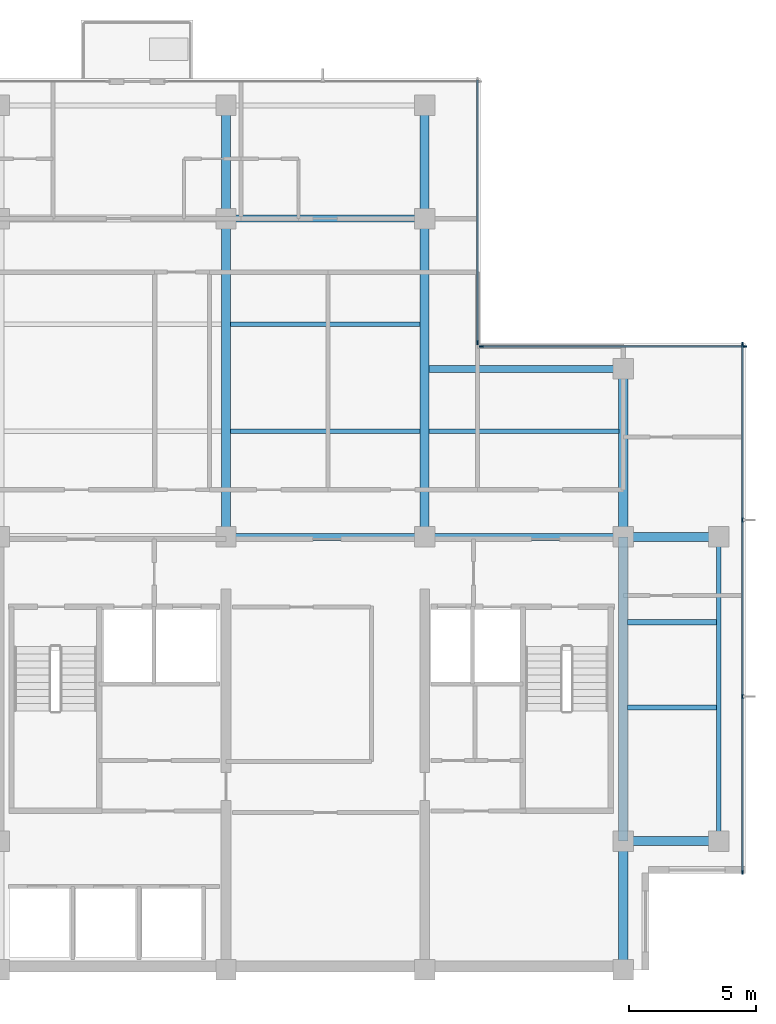
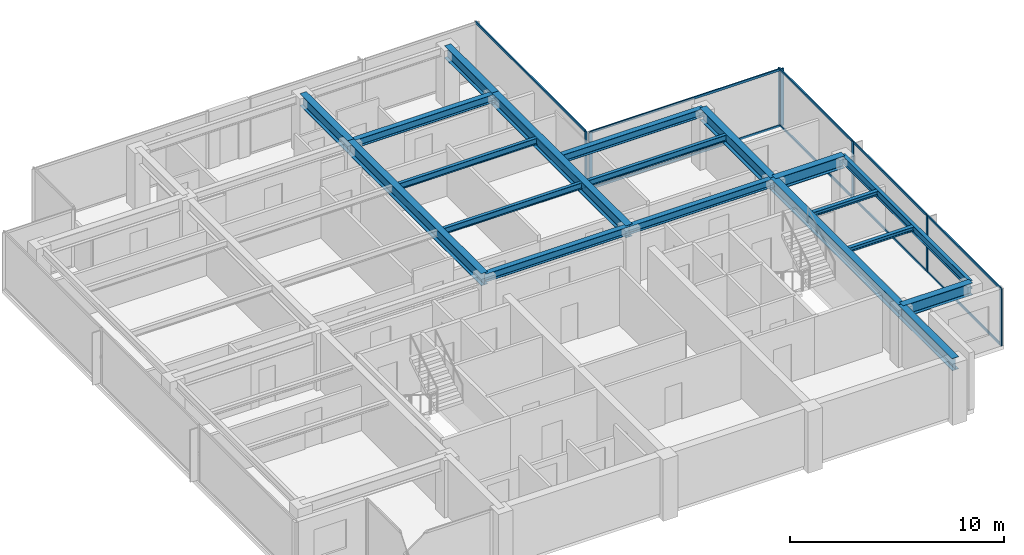
# One storey, part 3 of 11: 19 beams, 17 members, 3 elements without a shape of their own.
"""IFC4 building model written with IfcOpenShell, lengths in metres."""

from ifc_helpers import new_model, si_unit, direction, frame, origin, origin_2d, place, context, subcontext, project, spatial, rectangle, i_section, extrude, material, layer, layer_set, material_profile, profile_set, type_object, element, aggregate, save


model = new_model("IFC4")

# Units and contexts
model_context = context("Model", 3, precision=1e-05, world=origin(), true_north=direction((0.0, 1.0)))
body_context = subcontext(model_context, "Body", "Model", "MODEL_VIEW")
ifc_project = project(units=[si_unit("LENGTHUNIT", "METRE"), si_unit("AREAUNIT", "SQUARE_METRE"), si_unit("VOLUMEUNIT", "CUBIC_METRE"), si_unit("PLANEANGLEUNIT", "RADIAN"), si_unit("MASSUNIT", "GRAM", prefix="KILO")], contexts=[model_context])

# Site, building, storey
site_placement = place(None, origin())
site = spatial("IfcSite", under=ifc_project, at=site_placement, CompositionType="ELEMENT")
building_placement = place(site_placement, origin())
building = spatial("IfcBuilding", under=site, at=building_placement, Name="Qalmaran Belvedere Hotel", CompositionType="ELEMENT")
storey_placement = place(building_placement, frame((0.0, 0.0, 263.39990234375)))
storey = spatial("IfcBuildingStorey", under=building, at=storey_placement, Name="L68", CompositionType="ELEMENT", Elevation=263.39990234375)

# Beams
ifc_material_1 = material(Name="Steel S355JR", Category="steel")
ifc_material_profile_1 = material_profile(ifc_material_1, i_section(OverallWidth=0.201904296875, OverallDepth=0.2470703125, WebThickness=0.00732421875, FlangeThickness=0.010986328125, FilletRadius=0.011962890625, at=origin_2d()), Name="W250X49")
ifc_profile_set_1 = profile_set([ifc_material_profile_1], Name="Steel S355JR")
beam_type_1 = type_object("IfcBeamType", Name="BM-JST-W250X49", PredefinedType="JOIST", material=ifc_profile_set_1)
for number, where, z_axis, x_axis, name in (
    (1, (44.9755859375, 13.800048828125, 3.13671875), (1.0, 0.0, 0.0), (0.0, 1.0, 0.0), "L68 East Wing Joist 032"),
    (2, (44.9755859375, 17.14990234375, 3.13671875), (1.0, 0.0, 0.0), (0.0, 1.0, 0.0), "L68 East Wing Joist 034"),
):
    element("IfcBeam", number, at=place(storey_placement, frame(where, z_axis=z_axis, x_axis=x_axis)), inside=storey, type_object=beam_type_1, Name=name, PredefinedType="JOIST", context=body_context, shape_type="SweptSolid", body=[
        extrude(i_section(OverallWidth=0.201904296875, OverallDepth=0.2470703125, WebThickness=0.00732421875, FlangeThickness=0.010986328125, FilletRadius=0.011962890625, at=origin_2d()), origin(), (0.0, 0.0, 1.0), 3.48046875),
    ])
ifc_material_profile_2 = material_profile(ifc_material_1, i_section(OverallWidth=0.172119140625, OverallDepth=0.35791015625, WebThickness=0.0078125, FlangeThickness=0.01318359375, FilletRadius=0.014892578125, at=origin_2d()), Name="W360X57")
ifc_profile_set_2 = profile_set([ifc_material_profile_2], Name="Steel S355JR")
beam_type_2 = type_object("IfcBeamType", Name="BM-SB4-W360X57", PredefinedType="BEAM", material=ifc_profile_set_2)
for number, where, z_axis, x_axis, name in (
    (3, (29.37548828125, 24.64990234375, 3.0810546875), (1.0, 0.0, 0.0), (0.0, 1.0, 0.0), "L68 Secondary Floor Beam 026"),
    (4, (37.175537109375, 24.64990234375, 3.0810546875), (1.0, 0.0, 0.0), (0.0, 1.0, 0.0), "L68 Secondary Floor Beam 027"),
    (5, (29.37548828125, 28.85009765625, 3.0810546875), (1.0, 0.0, 0.0), (0.0, 1.0, 0.0), "L68 Secondary Floor Beam 030"),
):
    element("IfcBeam", number, at=place(storey_placement, frame(where, z_axis=z_axis, x_axis=x_axis)), inside=storey, type_object=beam_type_2, Name=name, PredefinedType="BEAM", context=body_context, shape_type="SweptSolid", body=[
        extrude(i_section(OverallWidth=0.172119140625, OverallDepth=0.35791015625, WebThickness=0.0078125, FlangeThickness=0.01318359375, FilletRadius=0.014892578125, at=origin_2d()), origin(), (0.0, 0.0, 1.0), 7.448974609375),
    ])
ifc_material_profile_3 = material_profile(ifc_material_1, i_section(OverallWidth=0.19189453125, OverallDepth=0.462890625, WebThickness=0.010498046875, FlangeThickness=0.017578125, FilletRadius=0.01611328125, at=origin_2d()), Name="W460X89")
ifc_profile_set_3 = profile_set([ifc_material_profile_3], Name="Steel S355JR")
beam_type_3 = type_object("IfcBeamType", Name="BM-SP2-W460X89", PredefinedType="SPANDREL", material=ifc_profile_set_3)
beam_1_placement = place(storey_placement, frame((48.550048828125, 8.550048828125, 3.028564453125), z_axis=(0.0, 1.0, 0.0), x_axis=(-1.0, 0.0, 0.0)))
element("IfcBeam", 6, at=beam_1_placement, inside=storey, type_object=beam_type_3, Name="L68 Perimeter Spandrel 03", PredefinedType="SPANDREL", context=body_context, shape_type="SweptSolid", body=[
    extrude(i_section(OverallWidth=0.19189453125, OverallDepth=0.462890625, WebThickness=0.010498046875, FlangeThickness=0.017578125, FilletRadius=0.01611328125, at=origin_2d()), origin(), (0.0, 0.0, 1.0), 11.949951171875),
])
ifc_material_profile_4 = material_profile(ifc_material_1, i_section(OverallWidth=0.35498046875, OverallDepth=0.695068359375, WebThickness=0.015380859375, FlangeThickness=0.02490234375, FilletRadius=0.02197265625, at=origin_2d()), Name="W690X217")
ifc_profile_set_4 = profile_set([ifc_material_profile_4], Name="Steel S355JR")
beam_type_4 = type_object("IfcBeamType", Name="BM-Z1-W690X217", PredefinedType="USERDEFINED", material=ifc_profile_set_4)
beam_2_placement = place(storey_placement, frame((29.199951171875, 20.5, 2.91259765625), z_axis=(0.0, 1.0, 0.0), x_axis=(-1.0, 0.0, 0.0)))
element("IfcBeam", 7, at=beam_2_placement, inside=storey, type_object=beam_type_4, Name="L68 Mid-Plate N-S Girder 13", ObjectType="GIRDER", PredefinedType="USERDEFINED", context=body_context, shape_type="SweptSolid", body=[
    extrude(i_section(OverallWidth=0.35498046875, OverallDepth=0.695068359375, WebThickness=0.015380859375, FlangeThickness=0.02490234375, FilletRadius=0.02197265625, at=origin_2d()), origin(), (0.0, 0.0, 1.0), 12.5),
])
beam_3_placement = place(storey_placement, frame((29.199951171875, 33.0, 2.91259765625), z_axis=(0.0, 1.0, 0.0), x_axis=(-1.0, 0.0, 0.0)))
element("IfcBeam", 8, at=beam_3_placement, inside=storey, type_object=beam_type_4, Name="L68 North Bay Girder 14", ObjectType="GIRDER", PredefinedType="USERDEFINED", context=body_context, shape_type="SweptSolid", body=[
    extrude(i_section(OverallWidth=0.35498046875, OverallDepth=0.695068359375, WebThickness=0.015380859375, FlangeThickness=0.02490234375, FilletRadius=0.02197265625, at=origin_2d()), origin(), (0.0, 0.0, 1.0), 4.449951171875),
])
beam_4_placement = place(storey_placement, frame((37.0, 20.5, 2.91259765625), z_axis=(0.0, 1.0, 0.0), x_axis=(-1.0, 0.0, 0.0)))
element("IfcBeam", 9, at=beam_4_placement, inside=storey, type_object=beam_type_4, Name="L68 Mid-Plate N-S Girder 15", ObjectType="GIRDER", PredefinedType="USERDEFINED", context=body_context, shape_type="SweptSolid", body=[
    extrude(i_section(OverallWidth=0.35498046875, OverallDepth=0.695068359375, WebThickness=0.015380859375, FlangeThickness=0.02490234375, FilletRadius=0.02197265625, at=origin_2d()), origin(), (0.0, 0.0, 1.0), 12.5),
])
beam_5_placement = place(storey_placement, frame((37.0, 33.0, 2.91259765625), z_axis=(0.0, 1.0, 0.0), x_axis=(-1.0, 0.0, 0.0)))
element("IfcBeam", 10, at=beam_5_placement, inside=storey, type_object=beam_type_4, Name="L68 North Bay Girder 16", ObjectType="GIRDER", PredefinedType="USERDEFINED", context=body_context, shape_type="SweptSolid", body=[
    extrude(i_section(OverallWidth=0.35498046875, OverallDepth=0.695068359375, WebThickness=0.015380859375, FlangeThickness=0.02490234375, FilletRadius=0.02197265625, at=origin_2d()), origin(), (0.0, 0.0, 1.0), 4.449951171875),
])
beam_6_placement = place(storey_placement, frame((44.800048828125, 20.5, 2.91259765625), z_axis=(0.0, 1.0, 0.0), x_axis=(-1.0, 0.0, 0.0)))
element("IfcBeam", 11, at=beam_6_placement, inside=storey, type_object=beam_type_4, Name="L68 Mid-Plate N-S Girder 17", ObjectType="GIRDER", PredefinedType="USERDEFINED", context=body_context, shape_type="SweptSolid", body=[
    extrude(i_section(OverallWidth=0.35498046875, OverallDepth=0.695068359375, WebThickness=0.015380859375, FlangeThickness=0.02490234375, FilletRadius=0.02197265625, at=origin_2d()), origin(), (0.0, 0.0, 1.0), 6.60009765625),
])
beam_7_placement = place(storey_placement, frame((44.800048828125, 3.5, 2.91259765625), z_axis=(0.0, 1.0, 0.0), x_axis=(-1.0, 0.0, 0.0)))
element("IfcBeam", 12, at=beam_7_placement, inside=storey, type_object=beam_type_4, Name="L68 East Core Edge Girder A", ObjectType="GIRDER", PredefinedType="USERDEFINED", context=body_context, shape_type="SweptSolid", body=[
    extrude(i_section(OverallWidth=0.35498046875, OverallDepth=0.695068359375, WebThickness=0.015380859375, FlangeThickness=0.02490234375, FilletRadius=0.02197265625, at=origin_2d()), origin(), (0.0, 0.0, 1.0), 5.050048828125),
])
beam_8_placement = place(storey_placement, frame((44.800048828125, 8.550048828125, 2.91259765625), z_axis=(0.0, 1.0, 0.0), x_axis=(-1.0, 0.0, 0.0)))
element("IfcBeam", 13, at=beam_8_placement, inside=storey, type_object=beam_type_4, Name="L68 East Core Edge Girder B", ObjectType="GIRDER", PredefinedType="USERDEFINED", context=body_context, shape_type="SweptSolid", body=[
    extrude(i_section(OverallWidth=0.35498046875, OverallDepth=0.695068359375, WebThickness=0.015380859375, FlangeThickness=0.02490234375, FilletRadius=0.02197265625, at=origin_2d()), origin(), (0.0, 0.0, 1.0), 11.949951171875),
])
for number, where, z_axis, x_axis, name in (
    (14, (44.800048828125, 8.550048828125, 2.91259765625), (1.0, 0.0, 0.0), (0.0, 1.0, 0.0), "L68 East Wing Girder 22"),
    (15, (44.800048828125, 20.5, 2.91259765625), (1.0, 0.0, 0.0), (0.0, 1.0, 0.0), "L68 East Wing Girder 23"),
):
    element("IfcBeam", number, at=place(storey_placement, frame(where, z_axis=z_axis, x_axis=x_axis)), inside=storey, type_object=beam_type_4, Name=name, ObjectType="GIRDER", PredefinedType="USERDEFINED", context=body_context, shape_type="SweptSolid", body=[
        extrude(i_section(OverallWidth=0.35498046875, OverallDepth=0.695068359375, WebThickness=0.015380859375, FlangeThickness=0.02490234375, FilletRadius=0.02197265625, at=origin_2d()), origin(), (0.0, 0.0, 1.0), 3.75),
    ])
ifc_material_profile_5 = material_profile(ifc_material_1, i_section(OverallWidth=0.280029296875, OverallDepth=0.462890625, WebThickness=0.0107421875, FlangeThickness=0.017333984375, FilletRadius=0.01611328125, at=origin_2d()), Name="W460X113")
ifc_profile_set_5 = profile_set([ifc_material_profile_5], Name="Steel S355JR")
beam_type_5 = type_object("IfcBeamType", Name="BM-Z5-W460X113", PredefinedType="USERDEFINED", material=ifc_profile_set_5)
for number, where, z_axis, x_axis, name in (
    (16, (29.199951171875, 20.5, 3.028564453125), (1.0, 0.0, 0.0), (0.0, 1.0, 0.0), "L68 Interior E-W Girder 07"),
    (17, (37.0, 20.5, 3.028564453125), (1.0, 0.0, 0.0), (0.0, 1.0, 0.0), "L68 Interior E-W Girder 08"),
    (18, (29.199951171875, 33.0, 3.028564453125), (1.0, 0.0, 0.0), (0.0, 1.0, 0.0), "L68 Interior E-W Girder 10"),
):
    element("IfcBeam", number, at=place(storey_placement, frame(where, z_axis=z_axis, x_axis=x_axis)), inside=storey, type_object=beam_type_5, Name=name, ObjectType="GIRDER", PredefinedType="USERDEFINED", context=body_context, shape_type="SweptSolid", body=[
        extrude(i_section(OverallWidth=0.280029296875, OverallDepth=0.462890625, WebThickness=0.0107421875, FlangeThickness=0.017333984375, FilletRadius=0.01611328125, at=origin_2d()), origin(), (0.0, 0.0, 1.0), 7.800048828125),
    ])
beam_9_placement = place(storey_placement, frame((37.175537109375, 27.10009765625, 3.028564453125), z_axis=(1.0, 0.0, 0.0), x_axis=(0.0, 1.0, 0.0)))
element("IfcBeam", 19, at=beam_9_placement, inside=storey, type_object=beam_type_5, Name="L68 North-East Notch Rim Girder", ObjectType="GIRDER", PredefinedType="USERDEFINED", context=body_context, shape_type="SweptSolid", body=[
    extrude(i_section(OverallWidth=0.280029296875, OverallDepth=0.462890625, WebThickness=0.0107421875, FlangeThickness=0.017333984375, FilletRadius=0.01611328125, at=origin_2d()), origin(), (0.0, 0.0, 1.0), 7.62451171875),
])

# Curtain wall, members
ifc_material_2 = material(Name="Anodised Bronze Aluminium", Category="aluminium")
ifc_layer = layer(ifc_material_2, 0.18505859375, Name="Anodised Bronze Aluminium")
ifc_layer_set = layer_set([ifc_layer], Name="Anodised Bronze Aluminium")
curtain_wall_type = type_object("IfcCurtainWallType", Name="CW6-TOWER-SKY", PredefinedType="NOTDEFINED", material=ifc_layer_set)
curtain_wall_1_placement = place(storey_placement, origin())
curtain_wall_1 = element("IfcCurtainWall", 20, at=curtain_wall_1_placement, inside=storey, type_object=curtain_wall_type, Name="L68 Curtain Wall CW6", PredefinedType="NOTDEFINED")
ifc_material_profile_6 = material_profile(ifc_material_2, rectangle(XDim=0.06494140625, YDim=0.1650390625, at=origin_2d()), Name="CWM65X165")
ifc_profile_set_6 = profile_set([ifc_material_profile_6], Name="Anodised Bronze Aluminium")
member_type_1 = type_object("IfcMemberType", Name="CWM-65X165", PredefinedType="MULLION", material=ifc_profile_set_6)
member_1_placement = place(storey_placement, frame((49.47998046875, 7.33251953125, 0.0), z_axis=(0.0, 0.0, 1.0), x_axis=(-1.0, 0.0, 0.0)))
member_1 = element("IfcMember", 21, at=member_1_placement, type_object=member_type_1, Name="CW6 mullion 1", PredefinedType="MULLION", context=body_context, shape_type="SweptSolid", body=[
    extrude(rectangle(XDim=0.06494140625, YDim=0.1650390625, at=origin_2d()), origin(), (0.0, 0.0, 1.0), 3.260009765625),
])
member_2_placement = place(storey_placement, frame((49.47998046875, 14.2333984375, 0.0), z_axis=(0.0, 0.0, 1.0), x_axis=(-1.0, 0.0, 0.0)))
member_2 = element("IfcMember", 22, at=member_2_placement, type_object=member_type_1, Name="CW6 mullion 2", PredefinedType="MULLION", context=body_context, shape_type="SweptSolid", body=[
    extrude(rectangle(XDim=0.06494140625, YDim=0.1650390625, at=origin_2d()), origin(), (0.0, 0.0, 1.0), 3.260009765625),
])
member_3_placement = place(storey_placement, frame((49.47998046875, 21.166748046875, 0.0), z_axis=(0.0, 0.0, 1.0), x_axis=(-1.0, 0.0, 0.0)))
member_3 = element("IfcMember", 23, at=member_3_placement, type_object=member_type_1, Name="CW6 mullion 3", PredefinedType="MULLION", context=body_context, shape_type="SweptSolid", body=[
    extrude(rectangle(XDim=0.06494140625, YDim=0.1650390625, at=origin_2d()), origin(), (0.0, 0.0, 1.0), 3.260009765625),
])
member_4_placement = place(storey_placement, frame((49.47998046875, 28.0673828125, 0.0), z_axis=(0.0, 0.0, 1.0), x_axis=(-1.0, 0.0, 0.0)))
member_4 = element("IfcMember", 24, at=member_4_placement, type_object=member_type_1, Name="CW6 mullion 4", PredefinedType="MULLION", context=body_context, shape_type="SweptSolid", body=[
    extrude(rectangle(XDim=0.06494140625, YDim=0.1650390625, at=origin_2d()), origin(), (0.0, 0.0, 1.0), 3.260009765625),
])

curtain_wall_2_placement = place(storey_placement, origin())
curtain_wall_2 = element("IfcCurtainWall", 25, at=curtain_wall_2_placement, inside=storey, type_object=curtain_wall_type, Name="L68 Curtain Wall CW6", PredefinedType="NOTDEFINED")
member_5_placement = place(storey_placement, frame((49.5673828125, 27.97998046875, 0.0), z_axis=(0.0, 0.0, 1.0), x_axis=(0.0, -1.0, 0.0)))
member_5 = element("IfcMember", 26, at=member_5_placement, type_object=member_type_1, Name="CW6 mullion 1", PredefinedType="MULLION", context=body_context, shape_type="SweptSolid", body=[
    extrude(rectangle(XDim=0.06494140625, YDim=0.1650390625, at=origin_2d()), origin(), (0.0, 0.0, 1.0), 3.260009765625),
])
member_6_placement = place(storey_placement, frame((39.232421875, 27.97998046875, 0.0), z_axis=(0.0, 0.0, 1.0), x_axis=(0.0, -1.0, 0.0)))
member_6 = element("IfcMember", 27, at=member_6_placement, type_object=member_type_1, Name="CW6 mullion 2", PredefinedType="MULLION", context=body_context, shape_type="SweptSolid", body=[
    extrude(rectangle(XDim=0.06494140625, YDim=0.1650390625, at=origin_2d()), origin(), (0.0, 0.0, 1.0), 3.260009765625),
])

# Curtain wall, member
curtain_wall_3_placement = place(storey_placement, origin())
curtain_wall_3 = element("IfcCurtainWall", 28, at=curtain_wall_3_placement, inside=storey, type_object=curtain_wall_type, Name="L68 Curtain Wall CW6", PredefinedType="NOTDEFINED")
member_7_placement = place(storey_placement, frame((39.080078125, 28.132568359375, 0.0), z_axis=(0.0, 0.0, 1.0), x_axis=(-1.0, 0.0, 0.0)))
member_7 = element("IfcMember", 29, at=member_7_placement, type_object=member_type_1, Name="CW6 mullion 1", PredefinedType="MULLION", context=body_context, shape_type="SweptSolid", body=[
    extrude(rectangle(XDim=0.06494140625, YDim=0.1650390625, at=origin_2d()), origin(), (0.0, 0.0, 1.0), 3.260009765625),
])

# Member
ifc_material_profile_7 = material_profile(ifc_material_2, rectangle(XDim=0.06494140625, YDim=0.1298828125, at=origin_2d()), Name="CWT65X130")
ifc_profile_set_7 = profile_set([ifc_material_profile_7], Name="Anodised Bronze Aluminium")
member_type_2 = type_object("IfcMemberType", Name="CWT-65X130", PredefinedType="USERDEFINED", material=ifc_profile_set_7)
member_8_placement = place(storey_placement, frame((49.47998046875, 7.364990234375, 0.03271484375), z_axis=(0.0, 1.0, 0.0), x_axis=(-1.0, 0.0, 0.0)))
member_8 = element("IfcMember", 30, at=member_8_placement, type_object=member_type_2, Name="CW6 transom 1.1", ObjectType="TRANSOM", PredefinedType="USERDEFINED", context=body_context, shape_type="SweptSolid", body=[
    extrude(rectangle(XDim=0.06494140625, YDim=0.1298828125, at=origin_2d()), origin(), (0.0, 0.0, 1.0), 6.8359375),
])

member_9_placement = place(storey_placement, frame((49.47998046875, 7.364990234375, 3.2275390625), z_axis=(0.0, 1.0, 0.0), x_axis=(-1.0, 0.0, 0.0)))
member_9 = element("IfcMember", 31, at=member_9_placement, type_object=member_type_2, Name="CW6 transom 1.2", ObjectType="TRANSOM", PredefinedType="USERDEFINED", context=body_context, shape_type="SweptSolid", body=[
    extrude(rectangle(XDim=0.06494140625, YDim=0.1298828125, at=origin_2d()), origin(), (0.0, 0.0, 1.0), 6.8359375),
])

member_10_placement = place(storey_placement, frame((49.47998046875, 14.265869140625, 0.03271484375), z_axis=(0.0, 1.0, 0.0), x_axis=(-1.0, 0.0, 0.0)))
member_10 = element("IfcMember", 32, at=member_10_placement, type_object=member_type_2, Name="CW6 transom 2.1", ObjectType="TRANSOM", PredefinedType="USERDEFINED", context=body_context, shape_type="SweptSolid", body=[
    extrude(rectangle(XDim=0.06494140625, YDim=0.1298828125, at=origin_2d()), origin(), (0.0, 0.0, 1.0), 6.868408203125),
])

member_11_placement = place(storey_placement, frame((49.47998046875, 14.265869140625, 3.2275390625), z_axis=(0.0, 1.0, 0.0), x_axis=(-1.0, 0.0, 0.0)))
member_11 = element("IfcMember", 33, at=member_11_placement, type_object=member_type_2, Name="CW6 transom 2.2", ObjectType="TRANSOM", PredefinedType="USERDEFINED", context=body_context, shape_type="SweptSolid", body=[
    extrude(rectangle(XDim=0.06494140625, YDim=0.1298828125, at=origin_2d()), origin(), (0.0, 0.0, 1.0), 6.868408203125),
])

member_12_placement = place(storey_placement, frame((49.47998046875, 21.19921875, 0.03271484375), z_axis=(0.0, 1.0, 0.0), x_axis=(-1.0, 0.0, 0.0)))
member_12 = element("IfcMember", 34, at=member_12_placement, type_object=member_type_2, Name="CW6 transom 3.1", ObjectType="TRANSOM", PredefinedType="USERDEFINED", context=body_context, shape_type="SweptSolid", body=[
    extrude(rectangle(XDim=0.06494140625, YDim=0.1298828125, at=origin_2d()), origin(), (0.0, 0.0, 1.0), 6.835693359375),
])

member_13_placement = place(storey_placement, frame((49.47998046875, 21.19921875, 3.2275390625), z_axis=(0.0, 1.0, 0.0), x_axis=(-1.0, 0.0, 0.0)))
member_13 = element("IfcMember", 35, at=member_13_placement, type_object=member_type_2, Name="CW6 transom 3.2", ObjectType="TRANSOM", PredefinedType="USERDEFINED", context=body_context, shape_type="SweptSolid", body=[
    extrude(rectangle(XDim=0.06494140625, YDim=0.1298828125, at=origin_2d()), origin(), (0.0, 0.0, 1.0), 6.835693359375),
])

aggregate(curtain_wall_1, [member_1, member_2, member_3, member_4, member_8, member_9, member_10, member_11, member_12, member_13])

member_14_placement = place(storey_placement, frame((49.534912109375, 27.97998046875, 0.03271484375), z_axis=(-1.0, 0.0, 0.0), x_axis=(0.0, -1.0, 0.0)))
member_14 = element("IfcMember", 36, at=member_14_placement, type_object=member_type_2, Name="CW6 transom 1.1", ObjectType="TRANSOM", PredefinedType="USERDEFINED", context=body_context, shape_type="SweptSolid", body=[
    extrude(rectangle(XDim=0.06494140625, YDim=0.1298828125, at=origin_2d()), origin(), (0.0, 0.0, 1.0), 10.27001953125),
])

member_15_placement = place(storey_placement, frame((49.534912109375, 27.97998046875, 3.2275390625), z_axis=(-1.0, 0.0, 0.0), x_axis=(0.0, -1.0, 0.0)))
member_15 = element("IfcMember", 37, at=member_15_placement, type_object=member_type_2, Name="CW6 transom 1.2", ObjectType="TRANSOM", PredefinedType="USERDEFINED", context=body_context, shape_type="SweptSolid", body=[
    extrude(rectangle(XDim=0.06494140625, YDim=0.1298828125, at=origin_2d()), origin(), (0.0, 0.0, 1.0), 10.27001953125),
])

aggregate(curtain_wall_2, [member_5, member_6, member_14, member_15])

member_16_placement = place(storey_placement, frame((39.080078125, 28.1650390625, 0.03271484375), z_axis=(0.0, 1.0, 0.0), x_axis=(-1.0, 0.0, 0.0)))
member_16 = element("IfcMember", 38, at=member_16_placement, type_object=member_type_2, Name="CW6 transom 1.1", ObjectType="TRANSOM", PredefinedType="USERDEFINED", context=body_context, shape_type="SweptSolid", body=[
    extrude(rectangle(XDim=0.06494140625, YDim=0.1298828125, at=origin_2d()), origin(), (0.0, 0.0, 1.0), 10.27001953125),
])

member_17_placement = place(storey_placement, frame((39.080078125, 28.1650390625, 3.2275390625), z_axis=(0.0, 1.0, 0.0), x_axis=(-1.0, 0.0, 0.0)))
member_17 = element("IfcMember", 39, at=member_17_placement, type_object=member_type_2, Name="CW6 transom 1.2", ObjectType="TRANSOM", PredefinedType="USERDEFINED", context=body_context, shape_type="SweptSolid", body=[
    extrude(rectangle(XDim=0.06494140625, YDim=0.1298828125, at=origin_2d()), origin(), (0.0, 0.0, 1.0), 10.27001953125),
])

aggregate(curtain_wall_3, [member_7, member_16, member_17])

save(model, "model.ifc")
